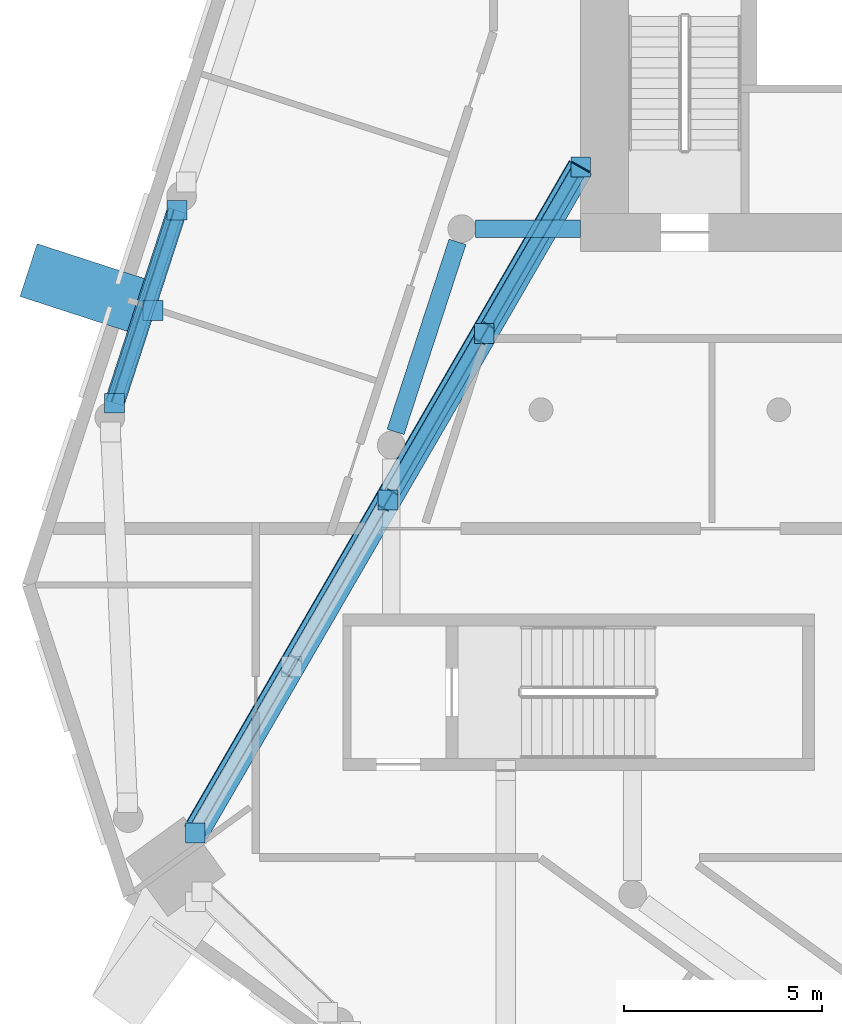
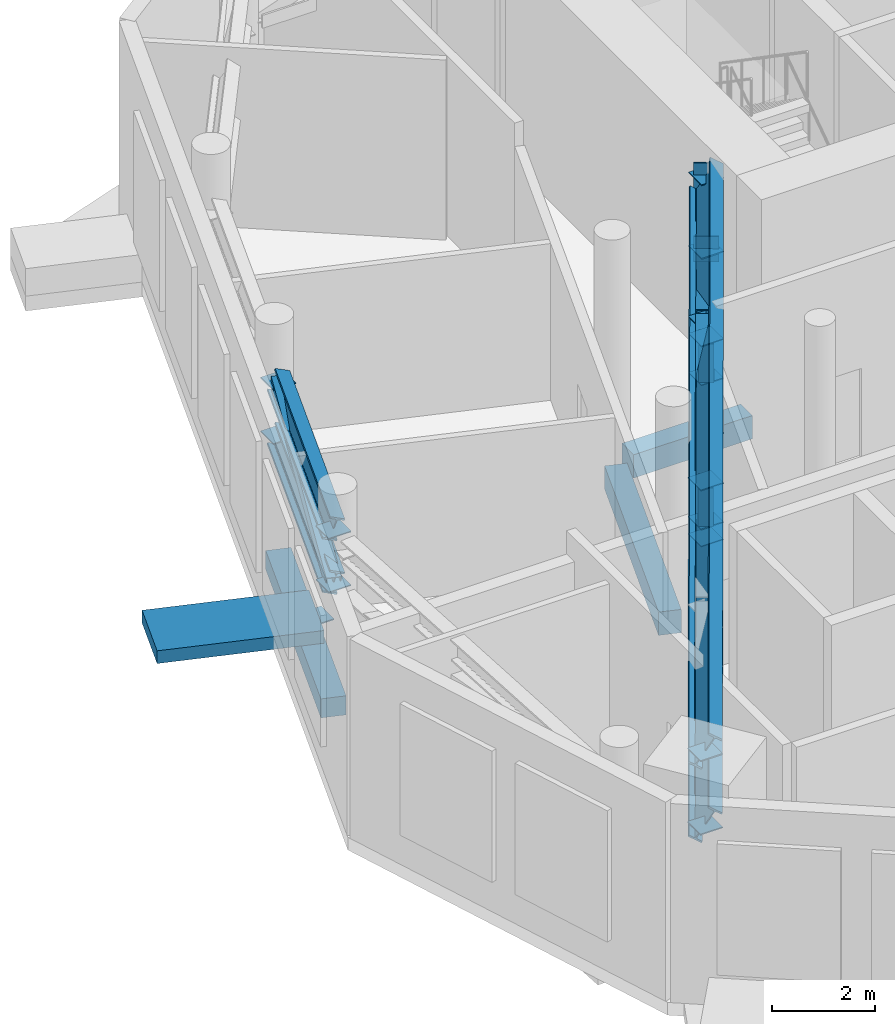
# One storey, part 3 of 17: 17 discrete accessories, 10 members, 3 beams.
"""IFC4 building model written with IfcOpenShell, lengths in metres."""

from ifc_helpers import new_model, si_unit, direction, frame, origin, origin_2d, place, context, subcontext, project, spatial, rectangle, hollow_rectangle, i_section, extrude, material, layer, layer_set, material_profile, profile_set, type_object, element, aggregate, save


model = new_model("IFC4")

# Units and contexts
model_context = context("Model", 3, precision=1e-05, world=origin(), true_north=direction((0.0, 1.0)))
body_context = subcontext(model_context, "Body", "Model", "MODEL_VIEW")
ifc_project = project(units=[si_unit("LENGTHUNIT", "METRE"), si_unit("AREAUNIT", "SQUARE_METRE"), si_unit("VOLUMEUNIT", "CUBIC_METRE"), si_unit("PLANEANGLEUNIT", "RADIAN"), si_unit("MASSUNIT", "GRAM", prefix="KILO")], contexts=[model_context])

# Site, building, storey
site_placement = place(None, origin())
site = spatial("IfcSite", under=ifc_project, at=site_placement, CompositionType="ELEMENT")
building_placement = place(site_placement, origin())
building = spatial("IfcBuilding", under=site, at=building_placement, Name="White Candle Pilgrim Tower", CompositionType="ELEMENT")
storey_placement = place(building_placement, frame((0.0, 0.0, 191.5)))
storey = spatial("IfcBuildingStorey", under=building, at=storey_placement, Name="L44", CompositionType="ELEMENT", Elevation=191.5)

# Member
ifc_material_1 = material(Name="Steel S355", Category="steel")
ifc_material_profile_1 = material_profile(ifc_material_1, i_section(OverallWidth=0.305908203125, OverallDepth=0.52392578125, WebThickness=0.02099609375, FlangeThickness=0.0400390625, FilletRadius=0.027099609375, at=origin_2d()), Name="HEM 500")
ifc_profile_set_1 = profile_set([ifc_material_profile_1], Name="Steel S355")
member_type_1 = type_object("IfcMemberType", Name="Belt truss chord HEM 500 S355", PredefinedType="CHORD", material=ifc_profile_set_1)
member_1_placement = place(storey_placement, frame((48.814208984375, 72.033447265625, 2.412109375), z_axis=(-0.308530369215, -0.951214492779, 0.0), x_axis=(0.904807198821, -0.293477970784, -0.308536243617)))
member_1 = element("IfcMember", 1, at=member_1_placement, inside=storey, type_object=member_type_1, Name="L44 belt truss bottom chord 14", PredefinedType="CHORD", context=body_context, shape_type="SweptSolid", body=[
    extrude(i_section(OverallWidth=0.305908203125, OverallDepth=0.52392578125, WebThickness=0.02099609375, FlangeThickness=0.0400390625, FilletRadius=0.027099609375, at=origin_2d()), origin(), (0.0, 0.0, 1.0), 5.116455078125),
])

member_2_placement = place(storey_placement, frame((48.814208984375, 72.033447265625, 3.677978515625), z_axis=(-0.308530369215, -0.951214492779, 0.0), x_axis=(0.904807198821, -0.293477970784, -0.308536243617)))
member_2 = element("IfcMember", 2, at=member_2_placement, inside=storey, type_object=member_type_1, Name="L44 belt truss top chord 14", PredefinedType="CHORD", context=body_context, shape_type="SweptSolid", body=[
    extrude(i_section(OverallWidth=0.305908203125, OverallDepth=0.52392578125, WebThickness=0.02099609375, FlangeThickness=0.0400390625, FilletRadius=0.027099609375, at=origin_2d()), origin(), (0.0, 0.0, 1.0), 5.116455078125),
])

ifc_material_profile_2 = material_profile(ifc_material_1, hollow_rectangle(XDim=0.300048828125, YDim=0.300048828125, WallThickness=0.01611328125, at=origin_2d()), Name="SHS 300x300x16")
ifc_profile_set_2 = profile_set([ifc_material_profile_2], Name="Steel S355")
member_type_2 = type_object("IfcMemberType", Name="Belt truss diagonal SHS 300x300x16 S355", PredefinedType="BRACE", material=ifc_profile_set_2)
member_3_placement = place(storey_placement, frame((48.814208984375, 72.033447265625, 3.677978515625), z_axis=(-0.299500301646, -0.923374344775, -0.240165336226), x_axis=(0.951214492779, -0.308530369215, 0.0)))
element("IfcMember", 3, at=member_3_placement, inside=storey, type_object=member_type_2, Name="L44 belt truss diagonal 14", PredefinedType="BRACE", context=body_context, shape_type="SweptSolid", body=[
    extrude(hollow_rectangle(XDim=0.300048828125, YDim=0.300048828125, WallThickness=0.01611328125, at=origin_2d()), origin(), (0.0, 0.0, 1.0), 5.270751953125),
])

ifc_material_profile_3 = material_profile(ifc_material_1, i_section(OverallWidth=0.302978515625, OverallDepth=0.81396484375, WebThickness=0.02099609375, FlangeThickness=0.0400390625, FilletRadius=0.030029296875, at=origin_2d()), Name="HEM 800")
ifc_profile_set_3 = profile_set([ifc_material_profile_3], Name="Steel S355")
member_type_3 = type_object("IfcMemberType", Name="L44 outrigger 1 chord HEM 800 S355", PredefinedType="CHORD", material=ifc_profile_set_3)
member_4_placement = place(storey_placement, frame((59.0, 73.125, 2.556884765625), z_axis=(-0.500994136413, -0.865450677555, 0.0), x_axis=(0.749007670622, -0.433587332983, -0.500988556782)))
member_4 = element("IfcMember", 4, at=member_4_placement, inside=storey, type_object=member_type_3, Name="L44 outrigger 1 bottom chord", PredefinedType="CHORD", context=body_context, shape_type="SweptSolid", body=[
    extrude(i_section(OverallWidth=0.302978515625, OverallDepth=0.81396484375, WebThickness=0.02099609375, FlangeThickness=0.0400390625, FilletRadius=0.030029296875, at=origin_2d()), origin(), (0.0, 0.0, 1.0), 19.4150390625),
])

member_5_placement = place(storey_placement, frame((59.0, 73.125, 4.29296875), z_axis=(-0.500994136413, -0.865450677555, 0.0), x_axis=(0.749007670622, -0.433587332983, -0.500988556782)))
member_5 = element("IfcMember", 5, at=member_5_placement, inside=storey, type_object=member_type_3, Name="L44 outrigger 1 top chord", PredefinedType="CHORD", context=body_context, shape_type="SweptSolid", body=[
    extrude(i_section(OverallWidth=0.302978515625, OverallDepth=0.81396484375, WebThickness=0.02099609375, FlangeThickness=0.0400390625, FilletRadius=0.030029296875, at=origin_2d()), origin(), (0.0, 0.0, 1.0), 19.4150390625),
])

ifc_material_profile_4 = material_profile(ifc_material_1, hollow_rectangle(XDim=0.39990234375, YDim=0.39990234375, WallThickness=0.02001953125, at=origin_2d()), Name="SHS 400x400x20")
ifc_profile_set_4 = profile_set([ifc_material_profile_4], Name="Steel S355")
member_type_4 = type_object("IfcMemberType", Name="L44 outrigger 1 diagonal SHS 400x400x20 S355", PredefinedType="BRACE", material=ifc_profile_set_4)
member_6_placement = place(storey_placement, frame((59.0, 73.125, 2.556884765625), z_axis=(-0.471717853032, -0.814897327235, 0.336785708123), x_axis=(0.865456129808, -0.500984717708, 0.0)))
member_6 = element("IfcMember", 6, at=member_6_placement, inside=storey, type_object=member_type_4, Name="L44 outrigger 1 diagonal 1", PredefinedType="BRACE", context=body_context, shape_type="SweptSolid", body=[
    extrude(hollow_rectangle(XDim=0.39990234375, YDim=0.39990234375, WallThickness=0.02001953125, at=origin_2d()), origin(), (0.0, 0.0, 1.0), 5.15478515625),
])

member_7_placement = place(storey_placement, frame((56.568359375, 68.92431640625, 4.29296875), z_axis=(-0.471717853032, -0.814897327235, -0.336785708123), x_axis=(0.865456129808, -0.500984717708, 0.0)))
member_7 = element("IfcMember", 7, at=member_7_placement, inside=storey, type_object=member_type_4, Name="L44 outrigger 1 diagonal 2", PredefinedType="BRACE", context=body_context, shape_type="SweptSolid", body=[
    extrude(hollow_rectangle(XDim=0.39990234375, YDim=0.39990234375, WallThickness=0.02001953125, at=origin_2d()), origin(), (0.0, 0.0, 1.0), 5.15478515625),
])

ifc_material_profile_5 = material_profile(ifc_material_1, i_section(OverallWidth=0.300048828125, OverallDepth=0.5, WebThickness=0.014404296875, FlangeThickness=0.028076171875, FilletRadius=0.027099609375, at=origin_2d()), Name="HEB 500")
ifc_profile_set_5 = profile_set([ifc_material_profile_5], Name="Steel S355")
member_type_5 = type_object("IfcMemberType", Name="L44 outrigger 1 post HEB 500 S355", PredefinedType="POST", material=ifc_profile_set_5)
member_8_placement = place(storey_placement, frame((56.568359375, 68.92431640625, 2.964111328125), z_axis=(0.0, 0.0, 1.0), x_axis=(0.865453907481, -0.500988556782, 0.0)))
member_8 = element("IfcMember", 8, at=member_8_placement, inside=storey, type_object=member_type_5, Name="L44 outrigger 1 post 1", PredefinedType="POST", context=body_context, shape_type="SweptSolid", body=[
    extrude(i_section(OverallWidth=0.300048828125, OverallDepth=0.5, WebThickness=0.014404296875, FlangeThickness=0.028076171875, FilletRadius=0.027099609375, at=origin_2d()), origin(), (0.0, 0.0, 1.0), 0.921875),
])

member_9_placement = place(storey_placement, frame((54.13671875, 64.7236328125, 2.964111328125), z_axis=(0.0, 0.0, 1.0), x_axis=(0.865453907481, -0.500988556782, 0.0)))
member_9 = element("IfcMember", 9, at=member_9_placement, inside=storey, type_object=member_type_5, Name="L44 outrigger 1 post 2", PredefinedType="POST", context=body_context, shape_type="SweptSolid", body=[
    extrude(i_section(OverallWidth=0.300048828125, OverallDepth=0.5, WebThickness=0.014404296875, FlangeThickness=0.028076171875, FilletRadius=0.027099609375, at=origin_2d()), origin(), (0.0, 0.0, 1.0), 0.921875),
])

ifc_material_2 = material(Name="Concrete C70/85, white", Category="concrete")
ifc_layer_1 = layer(ifc_material_2, 0.300048828125)
ifc_layer_set_1 = layer_set([ifc_layer_1], Name="Node tie strut 3300x1400x300 C70/85")
member_type_6 = type_object("IfcMemberType", Name="Node tie strut 3300x1400x300 C70/85", PredefinedType="STRUT", material=ifc_layer_set_1)
member_10_placement = place(storey_placement, frame((46.63720703125, 70.014892578125, -0.2998046875), z_axis=(0.0, 0.0, 1.0), x_axis=(-0.309016994375, -0.951056516295, 0.0)))
member_10 = element("IfcMember", 10, at=member_10_placement, inside=storey, type_object=member_type_6, Name="Node tie strut NC150", PredefinedType="STRUT", context=body_context, shape_type="SweptSolid", body=[
    extrude(rectangle(XDim=1.39990234375, YDim=3.300048828125, at=origin_2d()), origin(), (0.0, 0.0, 1.0), 0.300048828125),
])

# Beams
ifc_material_3 = material(Name="Concrete C50/60", Category="concrete")
ifc_material_profile_6 = material_profile(ifc_material_3, rectangle(XDim=0.449951171875, YDim=0.550048828125, at=origin_2d()), Name="RC-BM 450x550")
ifc_profile_set_6 = profile_set([ifc_material_profile_6], Name="Concrete C50/60")
beam_type_1 = type_object("IfcBeamType", Name="Ring beam RC-BM 450x550 C50/60", PredefinedType="BEAM", material=ifc_profile_set_6)
beam_1_placement = place(storey_placement, frame((56.35009765625, 71.570068359375, -0.574951171875), z_axis=(1.0, 0.0, 0.0), x_axis=(0.0, 1.0, 0.0)))
element("IfcBeam", 11, at=beam_1_placement, inside=storey, type_object=beam_type_1, Name="L44 ring beam R10", PredefinedType="BEAM", context=body_context, shape_type="SweptSolid", body=[
    extrude(rectangle(XDim=0.449951171875, YDim=0.550048828125, at=origin_2d()), origin(), (0.0, 0.0, 1.0), 2.64990234375),
])
beam_2_placement = place(storey_placement, frame((55.8916015625, 71.2373046875, -0.574951171875), z_axis=(-0.309975890104, -0.950744417577, 0.0), x_axis=(0.950744417577, -0.309975890104, 0.0)))
element("IfcBeam", 12, at=beam_2_placement, inside=storey, type_object=beam_type_1, Name="L44 ring beam R11", PredefinedType="BEAM", context=body_context, shape_type="SweptSolid", body=[
    extrude(rectangle(XDim=0.449951171875, YDim=0.550048828125, at=origin_2d()), origin(), (0.0, 0.0, 1.0), 5.04296875),
])
ifc_material_profile_7 = material_profile(ifc_material_3, rectangle(XDim=0.5, YDim=0.449951171875, at=origin_2d()), Name="RC-BM 500x450")
ifc_profile_set_7 = profile_set([ifc_material_profile_7], Name="Concrete C50/60")
beam_type_2 = type_object("IfcBeamType", Name="Spandrel beam RC-BM 500x450 C50/60", PredefinedType="BEAM", material=ifc_profile_set_7)
beam_3_placement = place(storey_placement, frame((48.814208984375, 72.033447265625, -0.52490234375), z_axis=(-0.308530369215, -0.951214492779, 0.0), x_axis=(0.951214492779, -0.308530369215, 0.0)))
element("IfcBeam", 13, at=beam_3_placement, inside=storey, type_object=beam_type_2, Name="L44 spandrel beam T14", PredefinedType="BEAM", context=body_context, shape_type="SweptSolid", body=[
    extrude(rectangle(XDim=0.5, YDim=0.449951171875, at=origin_2d()), origin(), (0.0, 0.0, 1.0), 5.116455078125),
])

# Discrete accessory
ifc_layer_2 = layer(ifc_material_1, 0.030029296875)
ifc_layer_set_2 = layer_set([ifc_layer_2], Name="Cast-in plate 500x600x30 S355")
discrete_accessory_type_1 = type_object("IfcDiscreteAccessoryType", Name="Cast-in plate 500x600x30 S355", PredefinedType="ANCHORPLATE", material=ifc_layer_set_2)
discrete_accessory_1_placement = place(storey_placement, frame((59.0, 73.125, 2.2568359375), z_axis=(0.0, 0.0, 1.0), x_axis=(-0.500982152693, -0.865457614608, 0.0)))
discrete_accessory_1 = element("IfcDiscreteAccessory", 14, at=discrete_accessory_1_placement, type_object=discrete_accessory_type_1, Name="Cast-in plate 0045", PredefinedType="ANCHORPLATE", context=body_context, shape_type="SweptSolid", body=[
    extrude(rectangle(XDim=0.030029296875, YDim=0.5, at=origin_2d()), origin(), (0.0, 0.0, 1.0), 0.60009765625),
])

discrete_accessory_2_placement = place(storey_placement, frame((59.0, 73.125, 3.992919921875), z_axis=(0.0, 0.0, 1.0), x_axis=(-0.500982152693, -0.865457614608, 0.0)))
discrete_accessory_2 = element("IfcDiscreteAccessory", 15, at=discrete_accessory_2_placement, type_object=discrete_accessory_type_1, Name="Cast-in plate 0046", PredefinedType="ANCHORPLATE", context=body_context, shape_type="SweptSolid", body=[
    extrude(rectangle(XDim=0.030029296875, YDim=0.5, at=origin_2d()), origin(), (0.0, 0.0, 1.0), 0.60009765625),
])

ifc_layer_3 = layer(ifc_material_1, 0.02490234375)
ifc_layer_set_3 = layer_set([ifc_layer_3], Name="Gusset plate 500x500x25 S355")
discrete_accessory_type_2 = type_object("IfcDiscreteAccessoryType", Name="Gusset plate 500x500x25 S355", PredefinedType="BRACKET", material=ifc_layer_set_3)
discrete_accessory_3_placement = place(storey_placement, frame((48.206298828125, 69.5048828125, -0.162353515625), z_axis=(0.0, 0.0, 1.0), x_axis=(1.0, 0.0, 0.0)))
discrete_accessory_3 = element("IfcDiscreteAccessory", 16, at=discrete_accessory_3_placement, type_object=discrete_accessory_type_2, Name="Gusset plate 0531", PredefinedType="BRACKET", context=body_context, shape_type="SweptSolid", body=[
    extrude(rectangle(XDim=0.5, YDim=0.5, at=origin_2d()), origin(), (0.0, 0.0, 1.0), 0.02490234375),
])

aggregate(member_10, [discrete_accessory_3])

discrete_accessory_4_placement = place(storey_placement, frame((48.814208984375, 72.033447265625, 2.399658203125), z_axis=(0.0, 0.0, 1.0), x_axis=(1.0, 0.0, 0.0)))
discrete_accessory_4 = element("IfcDiscreteAccessory", 17, at=discrete_accessory_4_placement, type_object=discrete_accessory_type_2, Name="Gusset plate 0830", PredefinedType="BRACKET", context=body_context, shape_type="SweptSolid", body=[
    extrude(rectangle(XDim=0.5, YDim=0.5, at=origin_2d()), origin(), (0.0, 0.0, 1.0), 0.02490234375),
])

discrete_accessory_5_placement = place(storey_placement, frame((47.235595703125, 67.16650390625, 2.399658203125), z_axis=(0.0, 0.0, 1.0), x_axis=(1.0, 0.0, 0.0)))
discrete_accessory_5 = element("IfcDiscreteAccessory", 18, at=discrete_accessory_5_placement, type_object=discrete_accessory_type_2, Name="Gusset plate 0831", PredefinedType="BRACKET", context=body_context, shape_type="SweptSolid", body=[
    extrude(rectangle(XDim=0.5, YDim=0.5, at=origin_2d()), origin(), (0.0, 0.0, 1.0), 0.02490234375),
])

aggregate(member_1, [discrete_accessory_4, discrete_accessory_5])

discrete_accessory_6_placement = place(storey_placement, frame((48.814208984375, 72.033447265625, 3.66552734375), z_axis=(0.0, 0.0, 1.0), x_axis=(1.0, 0.0, 0.0)))
discrete_accessory_6 = element("IfcDiscreteAccessory", 19, at=discrete_accessory_6_placement, type_object=discrete_accessory_type_2, Name="Gusset plate 0832", PredefinedType="BRACKET", context=body_context, shape_type="SweptSolid", body=[
    extrude(rectangle(XDim=0.5, YDim=0.5, at=origin_2d()), origin(), (0.0, 0.0, 1.0), 0.02490234375),
])

discrete_accessory_7_placement = place(storey_placement, frame((47.235595703125, 67.16650390625, 3.66552734375), z_axis=(0.0, 0.0, 1.0), x_axis=(1.0, 0.0, 0.0)))
discrete_accessory_7 = element("IfcDiscreteAccessory", 20, at=discrete_accessory_7_placement, type_object=discrete_accessory_type_2, Name="Gusset plate 0833", PredefinedType="BRACKET", context=body_context, shape_type="SweptSolid", body=[
    extrude(rectangle(XDim=0.5, YDim=0.5, at=origin_2d()), origin(), (0.0, 0.0, 1.0), 0.02490234375),
])

aggregate(member_2, [discrete_accessory_6, discrete_accessory_7])

discrete_accessory_8_placement = place(storey_placement, frame((59.0, 73.125, 2.54443359375), z_axis=(0.0, 0.0, 1.0), x_axis=(1.0, 0.0, 0.0)))
discrete_accessory_8 = element("IfcDiscreteAccessory", 21, at=discrete_accessory_8_placement, type_object=discrete_accessory_type_2, Name="Gusset plate 0958", PredefinedType="BRACKET", context=body_context, shape_type="SweptSolid", body=[
    extrude(rectangle(XDim=0.5, YDim=0.5, at=origin_2d()), origin(), (0.0, 0.0, 1.0), 0.02490234375),
])

discrete_accessory_9_placement = place(storey_placement, frame((49.273193359375, 56.322265625, 2.54443359375), z_axis=(0.0, 0.0, 1.0), x_axis=(1.0, 0.0, 0.0)))
discrete_accessory_9 = element("IfcDiscreteAccessory", 22, at=discrete_accessory_9_placement, type_object=discrete_accessory_type_2, Name="Gusset plate 0959", PredefinedType="BRACKET", context=body_context, shape_type="SweptSolid", body=[
    extrude(rectangle(XDim=0.5, YDim=0.5, at=origin_2d()), origin(), (0.0, 0.0, 1.0), 0.02490234375),
])

aggregate(member_4, [discrete_accessory_8, discrete_accessory_9, discrete_accessory_1])

discrete_accessory_10_placement = place(storey_placement, frame((59.0, 73.125, 4.280517578125), z_axis=(0.0, 0.0, 1.0), x_axis=(1.0, 0.0, 0.0)))
discrete_accessory_10 = element("IfcDiscreteAccessory", 23, at=discrete_accessory_10_placement, type_object=discrete_accessory_type_2, Name="Gusset plate 0960", PredefinedType="BRACKET", context=body_context, shape_type="SweptSolid", body=[
    extrude(rectangle(XDim=0.5, YDim=0.5, at=origin_2d()), origin(), (0.0, 0.0, 1.0), 0.02490234375),
])

discrete_accessory_11_placement = place(storey_placement, frame((49.273193359375, 56.322265625, 4.280517578125), z_axis=(0.0, 0.0, 1.0), x_axis=(1.0, 0.0, 0.0)))
discrete_accessory_11 = element("IfcDiscreteAccessory", 24, at=discrete_accessory_11_placement, type_object=discrete_accessory_type_2, Name="Gusset plate 0961", PredefinedType="BRACKET", context=body_context, shape_type="SweptSolid", body=[
    extrude(rectangle(XDim=0.5, YDim=0.5, at=origin_2d()), origin(), (0.0, 0.0, 1.0), 0.02490234375),
])

aggregate(member_5, [discrete_accessory_10, discrete_accessory_11, discrete_accessory_2])

discrete_accessory_12_placement = place(storey_placement, frame((56.568359375, 68.92431640625, 4.280517578125), z_axis=(0.0, 0.0, 1.0), x_axis=(1.0, 0.0, 0.0)))
discrete_accessory_12 = element("IfcDiscreteAccessory", 25, at=discrete_accessory_12_placement, type_object=discrete_accessory_type_2, Name="Gusset plate 0962", PredefinedType="BRACKET", context=body_context, shape_type="SweptSolid", body=[
    extrude(rectangle(XDim=0.5, YDim=0.5, at=origin_2d()), origin(), (0.0, 0.0, 1.0), 0.02490234375),
])

aggregate(member_6, [discrete_accessory_12])

discrete_accessory_13_placement = place(storey_placement, frame((54.13671875, 64.7236328125, 2.54443359375), z_axis=(0.0, 0.0, 1.0), x_axis=(1.0, 0.0, 0.0)))
discrete_accessory_13 = element("IfcDiscreteAccessory", 26, at=discrete_accessory_13_placement, type_object=discrete_accessory_type_2, Name="Gusset plate 0963", PredefinedType="BRACKET", context=body_context, shape_type="SweptSolid", body=[
    extrude(rectangle(XDim=0.5, YDim=0.5, at=origin_2d()), origin(), (0.0, 0.0, 1.0), 0.02490234375),
])

aggregate(member_7, [discrete_accessory_13])

discrete_accessory_14_placement = place(storey_placement, frame((56.568359375, 68.92431640625, 2.95166015625), z_axis=(0.0, 0.0, 1.0), x_axis=(1.0, 0.0, 0.0)))
discrete_accessory_14 = element("IfcDiscreteAccessory", 27, at=discrete_accessory_14_placement, type_object=discrete_accessory_type_2, Name="Gusset plate 0965", PredefinedType="BRACKET", context=body_context, shape_type="SweptSolid", body=[
    extrude(rectangle(XDim=0.5, YDim=0.5, at=origin_2d()), origin(), (0.0, 0.0, 1.0), 0.02490234375),
])

discrete_accessory_15_placement = place(storey_placement, frame((56.568359375, 68.92431640625, 3.87353515625), z_axis=(0.0, 0.0, 1.0), x_axis=(1.0, 0.0, 0.0)))
discrete_accessory_15 = element("IfcDiscreteAccessory", 28, at=discrete_accessory_15_placement, type_object=discrete_accessory_type_2, Name="Gusset plate 0966", PredefinedType="BRACKET", context=body_context, shape_type="SweptSolid", body=[
    extrude(rectangle(XDim=0.5, YDim=0.5, at=origin_2d()), origin(), (0.0, 0.0, 1.0), 0.02490234375),
])

aggregate(member_8, [discrete_accessory_14, discrete_accessory_15])

discrete_accessory_16_placement = place(storey_placement, frame((54.13671875, 64.7236328125, 2.95166015625), z_axis=(0.0, 0.0, 1.0), x_axis=(1.0, 0.0, 0.0)))
discrete_accessory_16 = element("IfcDiscreteAccessory", 29, at=discrete_accessory_16_placement, type_object=discrete_accessory_type_2, Name="Gusset plate 0967", PredefinedType="BRACKET", context=body_context, shape_type="SweptSolid", body=[
    extrude(rectangle(XDim=0.5, YDim=0.5, at=origin_2d()), origin(), (0.0, 0.0, 1.0), 0.02490234375),
])

discrete_accessory_17_placement = place(storey_placement, frame((54.13671875, 64.7236328125, 3.87353515625), z_axis=(0.0, 0.0, 1.0), x_axis=(1.0, 0.0, 0.0)))
discrete_accessory_17 = element("IfcDiscreteAccessory", 30, at=discrete_accessory_17_placement, type_object=discrete_accessory_type_2, Name="Gusset plate 0968", PredefinedType="BRACKET", context=body_context, shape_type="SweptSolid", body=[
    extrude(rectangle(XDim=0.5, YDim=0.5, at=origin_2d()), origin(), (0.0, 0.0, 1.0), 0.02490234375),
])

aggregate(member_9, [discrete_accessory_16, discrete_accessory_17])

save(model, "model.ifc")
